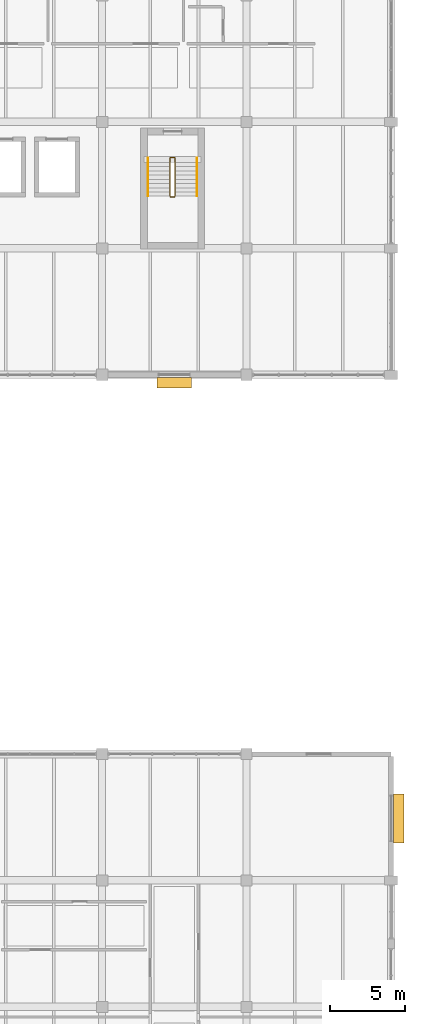
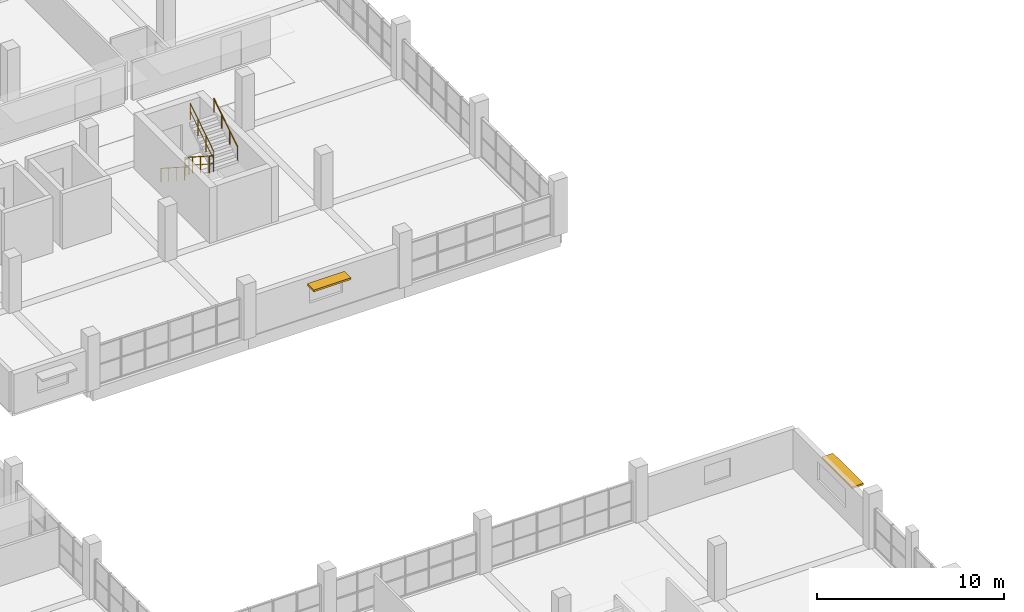
# One storey, part 146 of 147: 6 railings, 2 shading devices.
"""IFC4 building model written with IfcOpenShell, lengths in metres."""

import ifcopenshell
import ifcopenshell.guid

model = None  # the IFC model being written
_history = None  # IfcOwnerHistory: only IFC2X3 demands one
_inside = {}  # id of a spatial element -> (the spatial element, [elements in it])
_under = {}  # id of a project, library or spatial element -> (it, [spatial elements below it])
_declared = {}  # id of a project -> (the project, [libraries it declares])
_typed = {}  # id of a type object -> (the type object, [elements of that type])
_made_of = {}  # id of a material, layer set ... -> (it, [elements and type objects made of it])


def new_model(schema):
    """Start an empty IFC model of exactly this schema.

    Asked for "IFC4X3", IfcOpenShell would pick the latest addendum, in which some entities
    have other attributes; the version numbers below select the first issue.
    IFC2X3 requires an IfcOwnerHistory on every rooted entity: one is made here for all.
    """
    global model, _history
    if schema == "IFC4X3":
        model = ifcopenshell.file(schema_version=(4, 3, 0, 0))
    else:
        model = ifcopenshell.file(schema=schema)
    _inside.clear()
    _under.clear()
    _declared.clear()
    _typed.clear()
    _made_of.clear()
    _history = None
    if model.schema == "IFC2X3":
        org = make("IfcOrganization", Name="unknown")
        user = make(
            "IfcPersonAndOrganization",
            ThePerson=make("IfcPerson", FamilyName="unknown"),
            TheOrganization=org,
        )
        app = make(
            "IfcApplication",
            ApplicationDeveloper=org,
            Version="unknown",
            ApplicationFullName="unknown",
            ApplicationIdentifier="unknown",
        )
        _history = make(
            "IfcOwnerHistory",
            OwningUser=user,
            OwningApplication=app,
            ChangeAction="ADDED",
            CreationDate=0,
        )
    return model


def make(cls, **values):
    """One entity of the class cls with the attributes given. An attribute that is None is left unset."""
    return model.create_entity(
        cls, **{name: value for name, value in values.items() if value is not None}
    )


def rooted(cls, **values):
    """An entity with a GlobalId (a new one), such as an element, a storey or a relation."""
    return make(cls, GlobalId=ifcopenshell.guid.new(), OwnerHistory=_history, **values)


def si_unit(unit_type, name, prefix=None):
    """IfcSIUnit, for example si_unit("LENGTHUNIT", "METRE", prefix="MILLI")."""
    return make("IfcSIUnit", UnitType=unit_type, Prefix=prefix, Name=name)


def assignment(units):
    """IfcUnitAssignment: the units of a project."""
    return None if units is None else make("IfcUnitAssignment", Units=units)


def point(xyz):
    """IfcCartesianPoint."""
    return None if xyz is None else make("IfcCartesianPoint", Coordinates=xyz)


def direction(xyz):
    """IfcDirection."""
    return None if xyz is None else make("IfcDirection", DirectionRatios=xyz)


def frame(location, z_axis=None, x_axis=None):
    """IfcAxis2Placement3D, a coordinate frame: its origin and axes. An axis left out is left unset."""
    return make(
        "IfcAxis2Placement3D",
        Location=point(location),
        Axis=direction(z_axis),
        RefDirection=direction(x_axis),
    )


def frame_2d(location, x_axis=None):
    """IfcAxis2Placement2D, a coordinate frame in the plane: its origin and x axis."""
    return make(
        "IfcAxis2Placement2D", Location=point(location), RefDirection=direction(x_axis)
    )


def origin():
    """The frame at (0, 0, 0) with its axes left unset."""
    return frame((0.0, 0.0, 0.0))


def origin_2d():
    """The frame at (0, 0) in the plane with its x axis left unset."""
    return frame_2d((0.0, 0.0))


def place(relative_to, where):
    """IfcLocalPlacement: puts the frame where relative to a parent placement (None: the world)."""
    return make(
        "IfcLocalPlacement", PlacementRelTo=relative_to, RelativePlacement=where
    )


def context(
    kind, dimensions, precision=None, world=None, true_north=None, identifier=None
):
    """IfcGeometricRepresentationContext, for example the 3D "Model" context."""
    return make(
        "IfcGeometricRepresentationContext",
        ContextIdentifier=identifier,
        ContextType=kind,
        CoordinateSpaceDimension=dimensions,
        Precision=precision,
        WorldCoordinateSystem=world,
        TrueNorth=true_north,
    )


def subcontext(parent, identifier, kind, view, scale=None):
    """IfcGeometricRepresentationSubContext, for example "Body" below "Model"."""
    return make(
        "IfcGeometricRepresentationSubContext",
        ContextIdentifier=identifier,
        ContextType=kind,
        ParentContext=parent,
        TargetScale=scale,
        TargetView=view,
    )


def project(units=None, contexts=None):
    """IfcProject with its units and contexts."""
    return rooted(
        "IfcProject",
        Name="project",
        RepresentationContexts=contexts,
        UnitsInContext=assignment(units),
    )


def spatial(cls, under=None, at=None, **own):
    """A site, building, storey or space (cls), placed at a placement, below another one or the project."""
    s = rooted(cls, ObjectPlacement=at, **own)
    if under is not None:
        _under.setdefault(under.id(), (under, []))[1].append(s)
    return s


def profile(cls, at=None, kind="AREA", **sizes):
    """A parametric profile (cls). Its sizes go by their IFC names, for example OverallWidth=200.0."""
    return make(cls, ProfileType=kind, Position=at, **sizes)


def rectangle(**sizes):
    """IfcRectangleProfileDef."""
    return profile("IfcRectangleProfileDef", **sizes)


def circle(**sizes):
    """IfcCircleProfileDef."""
    return profile("IfcCircleProfileDef", **sizes)


def extrude(swept, where, along, depth):
    """IfcExtrudedAreaSolid: the profile swept, set in the frame where, extruded along a direction by depth."""
    return make(
        "IfcExtrudedAreaSolid",
        SweptArea=swept,
        Position=where,
        ExtrudedDirection=direction(along),
        Depth=depth,
    )


def shape(context_of_items, identifier, shape_type, items):
    """IfcShapeRepresentation: the items that make up one representation, for example the "Body"."""
    return make(
        "IfcShapeRepresentation",
        ContextOfItems=context_of_items,
        RepresentationIdentifier=identifier,
        RepresentationType=shape_type,
        Items=items,
    )


def material(Name=None, Category=None):
    """IfcMaterial."""
    return make("IfcMaterial", Name=Name, Category=Category)


def layer(
    of_material, thickness, ventilated=None, Name=None, Category=None, Priority=None
):
    """IfcMaterialLayer: one layer of a wall or slab, of a material (None: an air gap)."""
    return make(
        "IfcMaterialLayer",
        Material=of_material,
        LayerThickness=thickness,
        IsVentilated=ventilated,
        Name=Name,
        Category=Category,
        Priority=Priority,
    )


def layer_set(layers, Name=None):
    """IfcMaterialLayerSet."""
    return make("IfcMaterialLayerSet", MaterialLayers=layers, LayerSetName=Name)


def made_of(thing, what):
    """Note that an element or type object is made of a material, layer set ...; save() writes the relation."""
    if what is not None:
        _made_of.setdefault(what.id(), (what, []))[1].append(thing)
    return thing


def type_object(cls, material=None, **own):
    """A type object (cls), such as IfcWallType, which elements share."""
    return made_of(rooted(cls, **own), material)


def element(
    cls,
    number,
    at=None,
    inside=None,
    cuts=None,
    type_object=None,
    material=None,
    context=None,
    identifier="Body",
    shape_type=None,
    held_by="IfcProductDefinitionShape",
    body=None,
    shapes=None,
    **own,
):
    """One element of the class cls, such as IfcWall. Its Tag is "e" and its number.

    at: its placement. inside: the storey or other place that contains it. cuts: it is an
    opening in that element (IfcRelVoidsElement). A single representation is given by context,
    identifier, shape_type and body (its items); several are given by shapes. held_by: the class
    of the entity that holds the representations. save() writes the other relations.
    """
    e = rooted(cls, Tag="e%d" % number, ObjectPlacement=at, **own)
    if body is not None:
        shapes = [shape(context, identifier, shape_type, body)]
    if shapes is not None:
        e.Representation = make(held_by, Representations=shapes)
    if inside is not None:
        _inside.setdefault(inside.id(), (inside, []))[1].append(e)
    if cuts is not None:
        rooted(
            "IfcRelVoidsElement", RelatingBuildingElement=cuts, RelatedOpeningElement=e
        )
    if type_object is not None:
        _typed.setdefault(type_object.id(), (type_object, []))[1].append(e)
    return made_of(e, material)


def aggregate(whole, parts):
    """IfcRelAggregates: a whole, such as a stair, and the parts it consists of."""
    return rooted("IfcRelAggregates", RelatingObject=whole, RelatedObjects=parts)


def save(model, path):
    """Write the relations noted so far, then the file.

    IfcRelAggregates (storeys below a building ...), IfcRelContainedInSpatialStructure (elements
    in a storey), IfcRelDefinesByType, IfcRelAssociatesMaterial and IfcRelDeclares: one each for
    every whole, place, type object, material and project.
    """
    for whole, parts in _under.values():
        aggregate(whole, parts)
    for where, things in _inside.values():
        rooted(
            "IfcRelContainedInSpatialStructure",
            RelatedElements=things,
            RelatingStructure=where,
        )
    for kind, things in _typed.values():
        rooted("IfcRelDefinesByType", RelatedObjects=things, RelatingType=kind)
    for what, things in _made_of.values():
        rooted("IfcRelAssociatesMaterial", RelatedObjects=things, RelatingMaterial=what)
    for by, libraries in _declared.values():
        rooted("IfcRelDeclares", RelatingContext=by, RelatedDefinitions=libraries)
    model.write(path)


model = new_model("IFC4")

# Units and contexts
model_context = context("Model", 3, precision=1e-05, world=origin(), true_north=direction((0.0, 1.0)))
body_context = subcontext(model_context, "Body", "Model", "MODEL_VIEW")
ifc_project = project(units=[si_unit("LENGTHUNIT", "METRE"), si_unit("AREAUNIT", "SQUARE_METRE"), si_unit("VOLUMEUNIT", "CUBIC_METRE"), si_unit("PLANEANGLEUNIT", "RADIAN"), si_unit("MASSUNIT", "GRAM", prefix="KILO")], contexts=[model_context])

# Site, building, storey
site_placement = place(None, origin())
site = spatial("IfcSite", under=ifc_project, at=site_placement, CompositionType="ELEMENT")
building_placement = place(site_placement, origin())
building = spatial("IfcBuilding", under=site, at=building_placement, Name="Oolite Switchyard Hospital", CompositionType="ELEMENT")
storey_placement = place(building_placement, frame((0.0, 0.0, 9.89990234375)))
storey = spatial("IfcBuildingStorey", under=building, at=storey_placement, Name="L02", CompositionType="ELEMENT", Elevation=9.89990234375)

# Railings
ifc_material_1 = material(Name="Galvanized painted architectural steel handrail", Category="steel")
railing_type_1 = type_object("IfcRailingType", Name="RL-STAIR-GRD", PredefinedType="GUARDRAIL", material=ifc_material_1)
railing_1_placement = place(storey_placement, frame((196.510009765625, 115.18994140625, 0.18017578125)))
element("IfcRailing", 1, at=railing_1_placement, inside=storey, type_object=railing_type_1, Name="L02 ST-04 stair guard 1", PredefinedType="GUARDRAIL", context=body_context, shape_type="SweptSolid", body=[
    extrude(circle(Radius=0.02392578125, at=origin_2d()), frame((0.0, 0.0, 1.076171875), z_axis=(0.0, -0.841199657755, 0.540724639528), x_axis=(1.0, 0.0, 0.0)), (0.0, 0.0, 1.0), 2.995849609375),
    extrude(circle(Radius=0.015625, at=origin_2d()), frame((0.0, 0.0, 0.550048828125), z_axis=(0.0, -0.841199657755, 0.540724639528), x_axis=(1.0, 0.0, 0.0)), (0.0, 0.0, 1.0), 2.995849609375),
    extrude(circle(Radius=0.02099609375, at=origin_2d()), origin(), (0.0, 0.0, 1.0), 1.052001953125),
    extrude(circle(Radius=0.02099609375, at=origin_2d()), frame((0.0, -0.840087890625, 0.5400390625)), (0.0, 0.0, 1.0), 1.052001953125),
    extrude(circle(Radius=0.02099609375, at=origin_2d()), frame((0.0, -1.679931640625, 1.079833984375)), (0.0, 0.0, 1.0), 1.052001953125),
    extrude(circle(Radius=0.02099609375, at=origin_2d()), frame((0.0, -2.52001953125, 1.619873046875)), (0.0, 0.0, 1.0), 1.052001953125),
])
railing_2_placement = place(storey_placement, frame((196.56005859375, 112.6201171875, 1.800048828125)))
element("IfcRailing", 2, at=railing_2_placement, inside=storey, type_object=railing_type_1, Name="L02 ST-04 stair guard 2", PredefinedType="GUARDRAIL", context=body_context, shape_type="SweptSolid", body=[
    extrude(circle(Radius=0.02392578125, at=origin_2d()), frame((0.0, 0.0, 1.076171875), z_axis=(1.0, 0.0, 0.0), x_axis=(0.0, 1.0, 0.0)), (0.0, 0.0, 1.0), 0.239990234375),
    extrude(circle(Radius=0.015625, at=origin_2d()), frame((0.0, 0.0, 0.550048828125), z_axis=(1.0, 0.0, 0.0), x_axis=(0.0, 1.0, 0.0)), (0.0, 0.0, 1.0), 0.239990234375),
    extrude(circle(Radius=0.02099609375, at=origin_2d()), origin(), (0.0, 0.0, 1.0), 1.052001953125),
    extrude(circle(Radius=0.02099609375, at=origin_2d()), frame((0.239990234375, 0.0, 0.0)), (0.0, 0.0, 1.0), 1.052001953125),
])
railing_3_placement = place(storey_placement, frame((196.85009765625, 112.669921875, 1.97998046875)))
element("IfcRailing", 3, at=railing_3_placement, inside=storey, type_object=railing_type_1, Name="L02 ST-04 stair guard 3", PredefinedType="GUARDRAIL", context=body_context, shape_type="SweptSolid", body=[
    extrude(circle(Radius=0.02392578125, at=origin_2d()), frame((0.0, 0.0, 1.076171875), z_axis=(0.0, 0.841162588446, 0.540782303519), x_axis=(-1.0, 0.0, 0.0)), (0.0, 0.0, 1.0), 2.995849609375),
    extrude(circle(Radius=0.015625, at=origin_2d()), frame((0.0, 0.0, 0.550048828125), z_axis=(0.0, 0.841162588446, 0.540782303519), x_axis=(-1.0, 0.0, 0.0)), (0.0, 0.0, 1.0), 2.995849609375),
    extrude(circle(Radius=0.02099609375, at=origin_2d()), origin(), (0.0, 0.0, 1.0), 1.052001953125),
    extrude(circle(Radius=0.02099609375, at=origin_2d()), frame((0.0, 0.840087890625, 0.5400390625)), (0.0, 0.0, 1.0), 1.052001953125),
    extrude(circle(Radius=0.02099609375, at=origin_2d()), frame((0.0, 1.679931640625, 1.080078125)), (0.0, 0.0, 1.0), 1.052001953125),
    extrude(circle(Radius=0.02099609375, at=origin_2d()), frame((0.0, 2.52001953125, 1.6201171875)), (0.0, 0.0, 1.0), 1.052001953125),
])
railing_4_placement = place(storey_placement, frame((196.56005859375, 115.239990234375, 0.0)))
element("IfcRailing", 4, at=railing_4_placement, inside=storey, type_object=railing_type_1, Name="L02 ST-04 stair guard 4", PredefinedType="GUARDRAIL", context=body_context, shape_type="SweptSolid", body=[
    extrude(circle(Radius=0.02392578125, at=origin_2d()), frame((0.0, 0.0, 1.076171875), z_axis=(1.0, 0.0, 0.0), x_axis=(0.0, 1.0, 0.0)), (0.0, 0.0, 1.0), 0.239990234375),
    extrude(circle(Radius=0.015625, at=origin_2d()), frame((0.0, 0.0, 0.550048828125), z_axis=(1.0, 0.0, 0.0), x_axis=(0.0, 1.0, 0.0)), (0.0, 0.0, 1.0), 0.239990234375),
    extrude(circle(Radius=0.02099609375, at=origin_2d()), origin(), (0.0, 0.0, 1.0), 1.052001953125),
    extrude(circle(Radius=0.02099609375, at=origin_2d()), frame((0.239990234375, 0.0, 0.0)), (0.0, 0.0, 1.0), 1.052001953125),
])
railing_type_2 = type_object("IfcRailingType", Name="RL-STAIR-HND", PredefinedType="HANDRAIL", material=ifc_material_1)
railing_5_placement = place(storey_placement, frame((195.050048828125, 115.18994140625, 0.18017578125)))
element("IfcRailing", 5, at=railing_5_placement, inside=storey, type_object=railing_type_2, Name="L02 ST-04 stair handrail 1", PredefinedType="HANDRAIL", context=body_context, shape_type="SweptSolid", body=[
    extrude(circle(Radius=0.02392578125, at=origin_2d()), frame((0.0, 0.0, 0.8759765625), z_axis=(0.0, -0.841199657755, 0.540724639528), x_axis=(1.0, 0.0, 0.0)), (0.0, 0.0, 1.0), 2.995849609375),
    extrude(circle(Radius=0.02099609375, at=origin_2d()), origin(), (0.0, 0.0, 1.0), 0.851806640625),
    extrude(circle(Radius=0.02099609375, at=origin_2d()), frame((0.0, -0.840087890625, 0.5400390625)), (0.0, 0.0, 1.0), 0.851806640625),
    extrude(circle(Radius=0.02099609375, at=origin_2d()), frame((0.0, -1.679931640625, 1.079833984375)), (0.0, 0.0, 1.0), 0.851806640625),
    extrude(circle(Radius=0.02099609375, at=origin_2d()), frame((0.0, -2.52001953125, 1.619873046875)), (0.0, 0.0, 1.0), 0.851806640625),
])
railing_6_placement = place(storey_placement, frame((198.31005859375, 112.669921875, 1.97998046875)))
element("IfcRailing", 6, at=railing_6_placement, inside=storey, type_object=railing_type_2, Name="L02 ST-04 stair handrail 2", PredefinedType="HANDRAIL", context=body_context, shape_type="SweptSolid", body=[
    extrude(circle(Radius=0.02392578125, at=origin_2d()), frame((0.0, 0.0, 0.8759765625), z_axis=(0.0, 0.841162588446, 0.540782303519), x_axis=(-1.0, 0.0, 0.0)), (0.0, 0.0, 1.0), 2.995849609375),
    extrude(circle(Radius=0.02099609375, at=origin_2d()), origin(), (0.0, 0.0, 1.0), 0.851806640625),
    extrude(circle(Radius=0.02099609375, at=origin_2d()), frame((0.0, 0.840087890625, 0.5400390625)), (0.0, 0.0, 1.0), 0.851806640625),
    extrude(circle(Radius=0.02099609375, at=origin_2d()), frame((0.0, 1.679931640625, 1.080078125)), (0.0, 0.0, 1.0), 0.851806640625),
    extrude(circle(Radius=0.02099609375, at=origin_2d()), frame((0.0, 2.52001953125, 1.6201171875)), (0.0, 0.0, 1.0), 0.851806640625),
])

# Shading devices
ifc_material_2 = material(Name="Precast oolitic limestone architectural concrete C40/50", Category="masonry")
ifc_layer = layer(ifc_material_2, 0.1201171875)
ifc_layer_set = layer_set([ifc_layer], Name="SHD-BRISE-900")
shading_device_type = type_object("IfcShadingDeviceType", Name="SHD-BRISE-900", PredefinedType="AWNING", material=ifc_layer_set)
shading_device_1_placement = place(storey_placement, frame((196.800048828125, 100.27001953125, 2.06005859375), z_axis=(0.0, 0.0, 1.0), x_axis=(1.0, 0.0, 0.0)))
element("IfcShadingDevice", 7, at=shading_device_1_placement, inside=storey, type_object=shading_device_type, Name="L02 Classical Brise-Soleil Sunshade 34", PredefinedType="AWNING", context=body_context, shape_type="SweptSolid", body=[
    extrude(rectangle(XDim=2.2900390625, YDim=0.699951171875, at=origin_2d()), origin(), (0.0, 0.0, 1.0), 0.1201171875),
])
shading_device_2_placement = place(storey_placement, frame((211.7099609375, 71.320068359375, 2.06005859375), z_axis=(0.0, 0.0, 1.0), x_axis=(0.0, 1.0, 0.0)))
element("IfcShadingDevice", 8, at=shading_device_2_placement, inside=storey, type_object=shading_device_type, Name="L02 Classical Brise-Soleil Sunshade 39", PredefinedType="AWNING", context=body_context, shape_type="SweptSolid", body=[
    extrude(rectangle(XDim=3.239990234375, YDim=0.699951171875, at=origin_2d()), origin(), (0.0, 0.0, 1.0), 0.1201171875),
])

save(model, "model.ifc")
